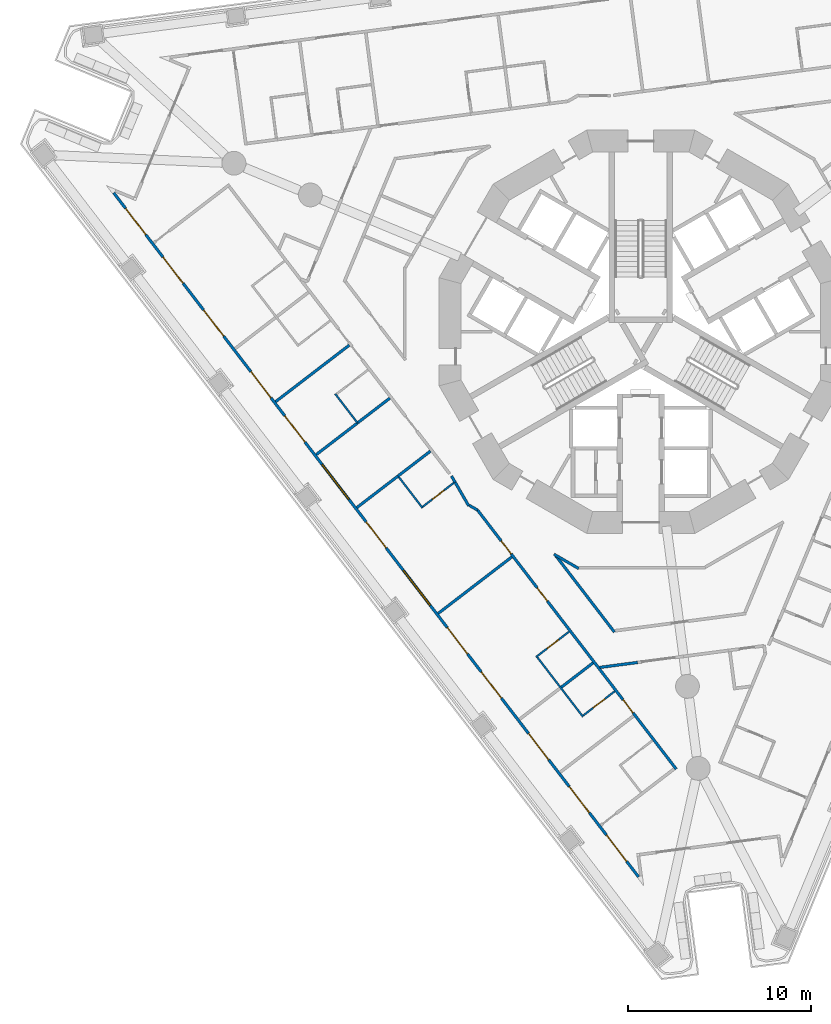
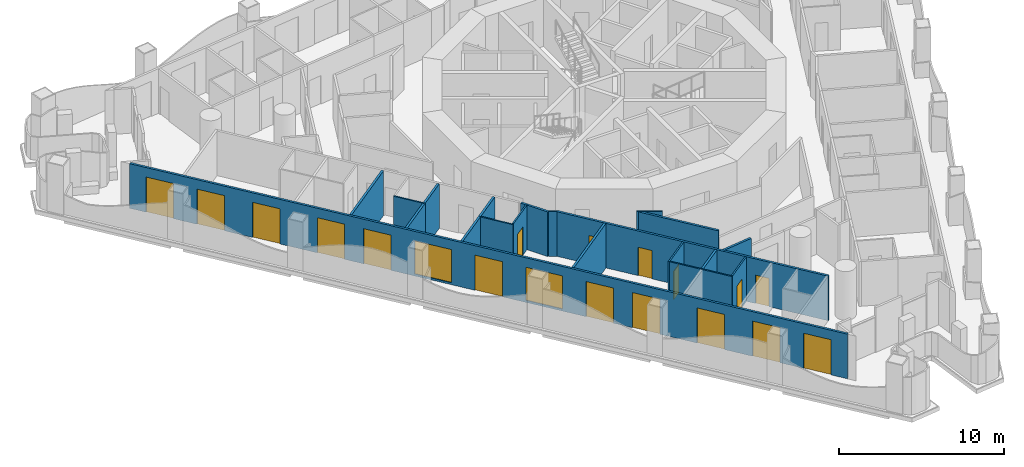
# One storey, part 2 of 19: 21 walls, 17 doors, 2 windows, 19 openings.
"""IFC4 building model written with IfcOpenShell, lengths in metres."""

from ifc_helpers import new_model, si_unit, direction, frame, frame_2d, origin, place, context, subcontext, project, spatial, polyline, rectangle, outline, extrude, material, layer, layer_set, type_object, element, fill, save


model = new_model("IFC4")

# Units and contexts
model_context = context("Model", 3, precision=1e-05, world=origin(), true_north=direction((0.0, 1.0)))
body_context = subcontext(model_context, "Body", "Model", "MODEL_VIEW")
ifc_project = project(units=[si_unit("LENGTHUNIT", "METRE"), si_unit("AREAUNIT", "SQUARE_METRE"), si_unit("VOLUMEUNIT", "CUBIC_METRE"), si_unit("PLANEANGLEUNIT", "RADIAN"), si_unit("MASSUNIT", "GRAM", prefix="KILO")], contexts=[model_context])

# Site, building, storey
site_placement = place(None, origin())
site = spatial("IfcSite", under=ifc_project, at=site_placement, CompositionType="ELEMENT")
building_placement = place(site_placement, origin())
building = spatial("IfcBuilding", under=site, at=building_placement, Name="Trine Commons Tower", CompositionType="ELEMENT")
storey_placement = place(building_placement, frame((0.0, 0.0, 64.800048828125)))
storey = spatial("IfcBuildingStorey", under=building, at=storey_placement, Name="L15", CompositionType="ELEMENT", Elevation=64.800048828125)

# Wall, openings, windows, doors
ifc_material_1 = material(Name="Aluminium-framed insulated wall panel", Category="aluminium")
ifc_layer_1 = layer(ifc_material_1, 0.14990234375)
ifc_layer_set_1 = layer_set([ifc_layer_1], Name="Aluminium-framed insulated wall panel")
wall_type_1 = type_object("IfcWallType", Name="Glazed frame wall 150, EI 60", PredefinedType="SOLIDWALL", material=ifc_layer_set_1)
wall_1_placement = place(storey_placement, frame((79.968994140625, 32.624267578125, 0.0), z_axis=(0.0, 0.0, 1.0), x_axis=(-0.608761526367, 0.793353265585, 0.0)))
wall_1 = element("IfcWall", 1, at=wall_1_placement, inside=storey, type_object=wall_type_1, Name="Glazed frame wall F3", PredefinedType="SOLIDWALL", context=body_context, shape_type="SweptSolid", body=[
    extrude(outline(polyline([(0.1494140625, 0.074951171875), (0.1494140625, -0.074951171875), (47.216796875, -0.074951171875), (47.216796875, 0.074951171875), (0.1494140625, 0.074951171875)])), origin(), (0.0, 0.0, 1.0), 3.300048828125),
])
opening_1_placement = place(wall_1_placement, frame((1.2216796875, 0.0, 0.0)))
opening_1 = element("IfcOpeningElement", 2, at=opening_1_placement, cuts=wall_1, Name="Opening BD-2F3-01", PredefinedType="OPENING", context=body_context, shape_type="SweptSolid", body=[
    extrude(rectangle(XDim=1.800048828125, YDim=2.60009765625, at=frame_2d((0.89990234375, 1.300048828125))), frame((0.0, 0.0849609375, 0.0), z_axis=(0.0, -1.0, 0.0), x_axis=(1.0, 0.0, 0.0)), (0.0, 0.0, 1.0), 0.169921875),
])
opening_2_placement = place(wall_1_placement, frame((4.5654296875, 0.0, 0.0)))
opening_2 = element("IfcOpeningElement", 3, at=opening_2_placement, cuts=wall_1, Name="Opening BD-2F3-02", PredefinedType="OPENING", context=body_context, shape_type="SweptSolid", body=[
    extrude(rectangle(XDim=1.800048828125, YDim=2.60009765625, at=frame_2d((0.89990234375, 1.300048828125))), frame((0.0, 0.0849609375, 0.0), z_axis=(0.0, -1.0, 0.0), x_axis=(1.0, 0.0, 0.0)), (0.0, 0.0, 1.0), 0.169921875),
])
opening_3_placement = place(wall_1_placement, frame((8.208984375, 0.0, 0.0)))
opening_3 = element("IfcOpeningElement", 4, at=opening_3_placement, cuts=wall_1, Name="Opening BD-2F3-03", PredefinedType="OPENING", context=body_context, shape_type="SweptSolid", body=[
    extrude(rectangle(XDim=1.800048828125, YDim=2.60009765625, at=frame_2d((0.89990234375, 1.300048828125))), frame((0.0, 0.0849609375, 0.0), z_axis=(0.0, -1.0, 0.0), x_axis=(1.0, 0.0, 0.0)), (0.0, 0.0, 1.0), 0.169921875),
])
opening_4_placement = place(wall_1_placement, frame((12.45263671875, 0.0, 0.0)))
opening_4 = element("IfcOpeningElement", 5, at=opening_4_placement, cuts=wall_1, Name="Opening BD-2F3-04", PredefinedType="OPENING", context=body_context, shape_type="SweptSolid", body=[
    extrude(rectangle(XDim=1.800048828125, YDim=2.60009765625, at=frame_2d((0.89990234375, 1.300048828125))), frame((0.0, 0.0849609375, 0.0), z_axis=(0.0, -1.0, 0.0), x_axis=(1.0, 0.0, 0.0)), (0.0, 0.0, 1.0), 0.169921875),
])
opening_5_placement = place(wall_1_placement, frame((15.49609375, 0.0, 0.0)))
opening_5 = element("IfcOpeningElement", 6, at=opening_5_placement, cuts=wall_1, Name="Opening BD-2F3-05", PredefinedType="OPENING", context=body_context, shape_type="SweptSolid", body=[
    extrude(rectangle(XDim=1.800048828125, YDim=2.60009765625, at=frame_2d((0.89990234375, 1.300048828125))), frame((0.0, 0.0849609375, 0.0), z_axis=(0.0, -1.0, 0.0), x_axis=(1.0, 0.0, 0.0)), (0.0, 0.0, 1.0), 0.169921875),
])
opening_6_placement = place(wall_1_placement, frame((18.83984375, 0.0, 0.14990234375)))
opening_6 = element("IfcOpeningElement", 7, at=opening_6_placement, cuts=wall_1, Name="Opening W-2F3-06", PredefinedType="OPENING", context=body_context, shape_type="SweptSolid", body=[
    extrude(rectangle(XDim=2.39990234375, YDim=2.449951171875, at=frame_2d((1.199951171875, 1.22509765625))), frame((0.0, 0.0849609375, 0.0), z_axis=(0.0, -1.0, 0.0), x_axis=(1.0, 0.0, 0.0)), (0.0, 0.0, 1.0), 0.169921875),
])
opening_7_placement = place(wall_1_placement, frame((22.783447265625, 0.0, 0.0)))
opening_7 = element("IfcOpeningElement", 8, at=opening_7_placement, cuts=wall_1, Name="Opening BD-2F3-07", PredefinedType="OPENING", context=body_context, shape_type="SweptSolid", body=[
    extrude(rectangle(XDim=1.800048828125, YDim=2.60009765625, at=frame_2d((0.89990234375, 1.300048828125))), frame((0.0, 0.0849609375, 0.0), z_axis=(0.0, -1.0, 0.0), x_axis=(1.0, 0.0, 0.0)), (0.0, 0.0, 1.0), 0.169921875),
])
opening_8_placement = place(wall_1_placement, frame((26.126953125, 0.0, 0.14990234375)))
opening_8 = element("IfcOpeningElement", 9, at=opening_8_placement, cuts=wall_1, Name="Opening W-2F3-08", PredefinedType="OPENING", context=body_context, shape_type="SweptSolid", body=[
    extrude(rectangle(XDim=2.39990234375, YDim=2.449951171875, at=frame_2d((1.199951171875, 1.22509765625))), frame((0.0, 0.0849609375, 0.0), z_axis=(0.0, -1.0, 0.0), x_axis=(1.0, 0.0, 0.0)), (0.0, 0.0, 1.0), 0.169921875),
])
opening_9_placement = place(wall_1_placement, frame((30.070556640625, 0.0, 0.0)))
opening_9 = element("IfcOpeningElement", 10, at=opening_9_placement, cuts=wall_1, Name="Opening BD-2F3-09", PredefinedType="OPENING", context=body_context, shape_type="SweptSolid", body=[
    extrude(rectangle(XDim=1.800048828125, YDim=2.60009765625, at=frame_2d((0.89990234375, 1.300048828125))), frame((0.0, 0.0849609375, 0.0), z_axis=(0.0, -1.0, 0.0), x_axis=(1.0, 0.0, 0.0)), (0.0, 0.0, 1.0), 0.169921875),
])
opening_10_placement = place(wall_1_placement, frame((33.1142578125, 0.0, 0.0)))
opening_10 = element("IfcOpeningElement", 11, at=opening_10_placement, cuts=wall_1, Name="Opening BD-2F3-10", PredefinedType="OPENING", context=body_context, shape_type="SweptSolid", body=[
    extrude(rectangle(XDim=1.800048828125, YDim=2.60009765625, at=frame_2d((0.89990234375, 1.300048828125))), frame((0.0, 0.0849609375, 0.0), z_axis=(0.0, -1.0, 0.0), x_axis=(1.0, 0.0, 0.0)), (0.0, 0.0, 1.0), 0.169921875),
])
opening_11_placement = place(wall_1_placement, frame((37.35791015625, 0.0, 0.0)))
opening_11 = element("IfcOpeningElement", 12, at=opening_11_placement, cuts=wall_1, Name="Opening BD-2F3-11", PredefinedType="OPENING", context=body_context, shape_type="SweptSolid", body=[
    extrude(rectangle(XDim=1.800048828125, YDim=2.60009765625, at=frame_2d((0.89990234375, 1.300048828125))), frame((0.0, 0.0849609375, 0.0), z_axis=(0.0, -1.0, 0.0), x_axis=(1.0, 0.0, 0.0)), (0.0, 0.0, 1.0), 0.169921875),
])
opening_12_placement = place(wall_1_placement, frame((41.00146484375, 0.0, 0.0)))
opening_12 = element("IfcOpeningElement", 13, at=opening_12_placement, cuts=wall_1, Name="Opening BD-2F3-12", PredefinedType="OPENING", context=body_context, shape_type="SweptSolid", body=[
    extrude(rectangle(XDim=1.800048828125, YDim=2.60009765625, at=frame_2d((0.89990234375, 1.300048828125))), frame((0.0, 0.0849609375, 0.0), z_axis=(0.0, -1.0, 0.0), x_axis=(1.0, 0.0, 0.0)), (0.0, 0.0, 1.0), 0.169921875),
])
opening_13_placement = place(wall_1_placement, frame((44.344970703125, 0.0, 0.0)))
opening_13 = element("IfcOpeningElement", 14, at=opening_13_placement, cuts=wall_1, Name="Opening BD-2F3-13", PredefinedType="OPENING", context=body_context, shape_type="SweptSolid", body=[
    extrude(rectangle(XDim=1.800048828125, YDim=2.60009765625, at=frame_2d((0.89990234375, 1.300048828125))), frame((0.0, 0.0849609375, 0.0), z_axis=(0.0, -1.0, 0.0), x_axis=(1.0, 0.0, 0.0)), (0.0, 0.0, 1.0), 0.169921875),
])
ifc_material_2 = material(Name="Anodised aluminium frame with double glazing", Category="aluminium")
window_type = type_object("IfcWindowType", Name="Fixed window 2400x2450", PartitioningType="SINGLE_PANEL", PredefinedType="WINDOW", material=ifc_material_2)
window_1_placement = place(opening_6_placement, origin())
window_1 = element("IfcWindow", 15, at=window_1_placement, inside=storey, type_object=window_type, Name="Window F3 6", OverallHeight=2.449951171875, OverallWidth=2.39990234375, PartitioningType="SINGLE_PANEL", PredefinedType="WINDOW", context=body_context, shape_type="SweptSolid", body=[
    extrude(rectangle(XDim=2.39990234375, YDim=2.449951171875, at=frame_2d((1.199951171875, 1.22509765625))), frame((0.0, 0.030029296875, 0.0), z_axis=(0.0, -1.0, 0.0), x_axis=(1.0, 0.0, 0.0)), (0.0, 0.0, 1.0), 0.06005859375),
])
fill(opening_6, window_1)
window_2_placement = place(opening_8_placement, origin())
window_2 = element("IfcWindow", 16, at=window_2_placement, inside=storey, type_object=window_type, Name="Window F3 8", OverallHeight=2.449951171875, OverallWidth=2.39990234375, PartitioningType="SINGLE_PANEL", PredefinedType="WINDOW", context=body_context, shape_type="SweptSolid", body=[
    extrude(rectangle(XDim=2.39990234375, YDim=2.449951171875, at=frame_2d((1.199951171875, 1.22509765625))), frame((0.0, 0.030029296875, 0.0), z_axis=(0.0, -1.0, 0.0), x_axis=(1.0, 0.0, 0.0)), (0.0, 0.0, 1.0), 0.06005859375),
])
fill(opening_8, window_2)
door_type_1 = type_object("IfcDoorType", Name="Sliding loggia door 1800x2600", OperationType="SLIDING_TO_LEFT", PredefinedType="DOOR", material=ifc_material_2)
door_1_placement = place(opening_1_placement, origin())
door_1 = element("IfcDoor", 17, at=door_1_placement, inside=storey, type_object=door_type_1, Name="Loggia door F3 1", OperationType="SLIDING_TO_LEFT", OverallHeight=2.60009765625, OverallWidth=1.800048828125, PredefinedType="DOOR", context=body_context, shape_type="SweptSolid", body=[
    extrude(rectangle(XDim=1.800048828125, YDim=2.60009765625, at=frame_2d((0.89990234375, 1.300048828125))), frame((0.0, 0.02490234375, 0.0), z_axis=(0.0, -1.0, 0.0), x_axis=(1.0, 0.0, 0.0)), (0.0, 0.0, 1.0), 0.050048828125),
])
fill(opening_1, door_1)
door_2_placement = place(opening_2_placement, origin())
door_2 = element("IfcDoor", 18, at=door_2_placement, inside=storey, type_object=door_type_1, Name="Loggia door F3 2", OperationType="SLIDING_TO_LEFT", OverallHeight=2.60009765625, OverallWidth=1.800048828125, PredefinedType="DOOR", context=body_context, shape_type="SweptSolid", body=[
    extrude(rectangle(XDim=1.800048828125, YDim=2.60009765625, at=frame_2d((0.89990234375, 1.300048828125))), frame((0.0, 0.02490234375, 0.0), z_axis=(0.0, -1.0, 0.0), x_axis=(1.0, 0.0, 0.0)), (0.0, 0.0, 1.0), 0.050048828125),
])
fill(opening_2, door_2)
door_3_placement = place(opening_3_placement, origin())
door_3 = element("IfcDoor", 19, at=door_3_placement, inside=storey, type_object=door_type_1, Name="Loggia door F3 3", OperationType="SLIDING_TO_LEFT", OverallHeight=2.60009765625, OverallWidth=1.800048828125, PredefinedType="DOOR", context=body_context, shape_type="SweptSolid", body=[
    extrude(rectangle(XDim=1.800048828125, YDim=2.60009765625, at=frame_2d((0.89990234375, 1.300048828125))), frame((0.0, 0.02490234375, 0.0), z_axis=(0.0, -1.0, 0.0), x_axis=(1.0, 0.0, 0.0)), (0.0, 0.0, 1.0), 0.050048828125),
])
fill(opening_3, door_3)
door_4_placement = place(opening_4_placement, origin())
door_4 = element("IfcDoor", 20, at=door_4_placement, inside=storey, type_object=door_type_1, Name="Loggia door F3 4", OperationType="SLIDING_TO_LEFT", OverallHeight=2.60009765625, OverallWidth=1.800048828125, PredefinedType="DOOR", context=body_context, shape_type="SweptSolid", body=[
    extrude(rectangle(XDim=1.800048828125, YDim=2.60009765625, at=frame_2d((0.89990234375, 1.300048828125))), frame((0.0, 0.02490234375, 0.0), z_axis=(0.0, -1.0, 0.0), x_axis=(1.0, 0.0, 0.0)), (0.0, 0.0, 1.0), 0.050048828125),
])
fill(opening_4, door_4)
door_5_placement = place(opening_5_placement, origin())
door_5 = element("IfcDoor", 21, at=door_5_placement, inside=storey, type_object=door_type_1, Name="Loggia door F3 5", OperationType="SLIDING_TO_LEFT", OverallHeight=2.60009765625, OverallWidth=1.800048828125, PredefinedType="DOOR", context=body_context, shape_type="SweptSolid", body=[
    extrude(rectangle(XDim=1.800048828125, YDim=2.60009765625, at=frame_2d((0.89990234375, 1.300048828125))), frame((0.0, 0.02490234375, 0.0), z_axis=(0.0, -1.0, 0.0), x_axis=(1.0, 0.0, 0.0)), (0.0, 0.0, 1.0), 0.050048828125),
])
fill(opening_5, door_5)
door_6_placement = place(opening_7_placement, origin())
door_6 = element("IfcDoor", 22, at=door_6_placement, inside=storey, type_object=door_type_1, Name="Loggia door F3 7", OperationType="SLIDING_TO_LEFT", OverallHeight=2.60009765625, OverallWidth=1.800048828125, PredefinedType="DOOR", context=body_context, shape_type="SweptSolid", body=[
    extrude(rectangle(XDim=1.800048828125, YDim=2.60009765625, at=frame_2d((0.89990234375, 1.300048828125))), frame((0.0, 0.02490234375, 0.0), z_axis=(0.0, -1.0, 0.0), x_axis=(1.0, 0.0, 0.0)), (0.0, 0.0, 1.0), 0.050048828125),
])
fill(opening_7, door_6)
door_7_placement = place(opening_9_placement, origin())
door_7 = element("IfcDoor", 23, at=door_7_placement, inside=storey, type_object=door_type_1, Name="Loggia door F3 9", OperationType="SLIDING_TO_LEFT", OverallHeight=2.60009765625, OverallWidth=1.800048828125, PredefinedType="DOOR", context=body_context, shape_type="SweptSolid", body=[
    extrude(rectangle(XDim=1.800048828125, YDim=2.60009765625, at=frame_2d((0.89990234375, 1.300048828125))), frame((0.0, 0.02490234375, 0.0), z_axis=(0.0, -1.0, 0.0), x_axis=(1.0, 0.0, 0.0)), (0.0, 0.0, 1.0), 0.050048828125),
])
fill(opening_9, door_7)
door_8_placement = place(opening_10_placement, origin())
door_8 = element("IfcDoor", 24, at=door_8_placement, inside=storey, type_object=door_type_1, Name="Loggia door F3 10", OperationType="SLIDING_TO_LEFT", OverallHeight=2.60009765625, OverallWidth=1.800048828125, PredefinedType="DOOR", context=body_context, shape_type="SweptSolid", body=[
    extrude(rectangle(XDim=1.800048828125, YDim=2.60009765625, at=frame_2d((0.89990234375, 1.300048828125))), frame((0.0, 0.02490234375, 0.0), z_axis=(0.0, -1.0, 0.0), x_axis=(1.0, 0.0, 0.0)), (0.0, 0.0, 1.0), 0.050048828125),
])
fill(opening_10, door_8)
door_9_placement = place(opening_11_placement, origin())
door_9 = element("IfcDoor", 25, at=door_9_placement, inside=storey, type_object=door_type_1, Name="Loggia door F3 11", OperationType="SLIDING_TO_LEFT", OverallHeight=2.60009765625, OverallWidth=1.800048828125, PredefinedType="DOOR", context=body_context, shape_type="SweptSolid", body=[
    extrude(rectangle(XDim=1.800048828125, YDim=2.60009765625, at=frame_2d((0.89990234375, 1.300048828125))), frame((0.0, 0.02490234375, 0.0), z_axis=(0.0, -1.0, 0.0), x_axis=(1.0, 0.0, 0.0)), (0.0, 0.0, 1.0), 0.050048828125),
])
fill(opening_11, door_9)
door_10_placement = place(opening_12_placement, origin())
door_10 = element("IfcDoor", 26, at=door_10_placement, inside=storey, type_object=door_type_1, Name="Loggia door F3 12", OperationType="SLIDING_TO_LEFT", OverallHeight=2.60009765625, OverallWidth=1.800048828125, PredefinedType="DOOR", context=body_context, shape_type="SweptSolid", body=[
    extrude(rectangle(XDim=1.800048828125, YDim=2.60009765625, at=frame_2d((0.89990234375, 1.300048828125))), frame((0.0, 0.02490234375, 0.0), z_axis=(0.0, -1.0, 0.0), x_axis=(1.0, 0.0, 0.0)), (0.0, 0.0, 1.0), 0.050048828125),
])
fill(opening_12, door_10)
door_11_placement = place(opening_13_placement, origin())
door_11 = element("IfcDoor", 27, at=door_11_placement, inside=storey, type_object=door_type_1, Name="Loggia door F3 13", OperationType="SLIDING_TO_LEFT", OverallHeight=2.60009765625, OverallWidth=1.800048828125, PredefinedType="DOOR", context=body_context, shape_type="SweptSolid", body=[
    extrude(rectangle(XDim=1.800048828125, YDim=2.60009765625, at=frame_2d((0.89990234375, 1.300048828125))), frame((0.0, 0.02490234375, 0.0), z_axis=(0.0, -1.0, 0.0), x_axis=(1.0, 0.0, 0.0)), (0.0, 0.0, 1.0), 0.050048828125),
])
fill(opening_13, door_11)

# Walls
ifc_material_3 = material(Name="Gypsum plasterboard on steel stud", Category="steel")
ifc_layer_2 = layer(ifc_material_3, 0.14990234375)
ifc_layer_set_2 = layer_set([ifc_layer_2], Name="Gypsum plasterboard on steel stud")
wall_type_2 = type_object("IfcWallType", Name="Unit and corridor wall 150 mm, EI 60", PredefinedType="PARTITIONING", material=ifc_layer_set_2)
wall_2_placement = place(storey_placement, frame((60.065673828125, 58.686279296875, 0.0), z_axis=(0.0, 0.0, 1.0), x_axis=(0.793444149255, 0.608643066184, 0.0)))
element("IfcWall", 28, at=wall_2_placement, inside=storey, type_object=wall_type_2, Name="Partition 010", PredefinedType="PARTITIONING", context=body_context, shape_type="SweptSolid", body=[
    extrude(rectangle(XDim=5.063720703125, YDim=0.14990234375, at=frame_2d((2.53173828125, 0.0))), origin(), (0.0, 0.0, 1.0), 3.300048828125),
])
wall_3_placement = place(storey_placement, frame((62.28369140625, 55.79541015625, 0.0), z_axis=(0.0, 0.0, 1.0), x_axis=(0.793376845769, 0.608730794849, 0.0)))
element("IfcWall", 29, at=wall_3_placement, inside=storey, type_object=wall_type_2, Name="Partition 021", PredefinedType="PARTITIONING", context=body_context, shape_type="SweptSolid", body=[
    extrude(rectangle(XDim=2.8427734375, YDim=0.14990234375, at=frame_2d((1.42138671875, 0.0))), origin(), (0.0, 0.0, 1.0), 3.300048828125),
])
wall_4_placement = place(storey_placement, frame((64.501708984375, 52.904296875, 0.0), z_axis=(0.0, 0.0, 1.0), x_axis=(0.793399431095, 0.608701357595, 0.0)))
element("IfcWall", 30, at=wall_4_placement, inside=storey, type_object=wall_type_2, Name="Partition 031", PredefinedType="PARTITIONING", context=body_context, shape_type="SweptSolid", body=[
    extrude(rectangle(XDim=2.830078125, YDim=0.14990234375, at=frame_2d((1.4150390625, 0.0))), origin(), (0.0, 0.0, 1.0), 3.300048828125),
])
wall_5_placement = place(storey_placement, frame((64.532958984375, 57.52197265625, 0.0), z_axis=(0.0, 0.0, 1.0), x_axis=(0.793486460679, 0.608587903856, 0.0)))
element("IfcWall", 31, at=wall_5_placement, inside=storey, type_object=wall_type_2, Name="Partition 032", PredefinedType="PARTITIONING", context=body_context, shape_type="SweptSolid", body=[
    extrude(rectangle(XDim=2.228759765625, YDim=0.14990234375, at=frame_2d((1.1142578125, 0.0))), origin(), (0.0, 0.0, 1.0), 3.300048828125),
])
wall_6_placement = place(storey_placement, frame((66.7470703125, 54.626953125, 0.0), z_axis=(0.0, 0.0, 1.0), x_axis=(0.793289688579, 0.608844372557, 0.0)))
element("IfcWall", 32, at=wall_6_placement, inside=storey, type_object=wall_type_2, Name="Partition 041", PredefinedType="PARTITIONING", context=body_context, shape_type="SweptSolid", body=[
    extrude(rectangle(XDim=2.234375, YDim=0.14990234375, at=frame_2d((1.1171875, 0.0))), origin(), (0.0, 0.0, 1.0), 3.300048828125),
])
wall_7_placement = place(storey_placement, frame((68.937744140625, 47.123291015625, 0.0), z_axis=(0.0, 0.0, 1.0), x_axis=(0.793351017656, 0.608764455913, 0.0)))
element("IfcWall", 33, at=wall_7_placement, inside=storey, type_object=wall_type_2, Name="Partition 047", PredefinedType="PARTITIONING", context=body_context, shape_type="SweptSolid", body=[
    extrude(rectangle(XDim=5.064453125, YDim=0.14990234375, at=frame_2d((2.5322265625, 0.0))), origin(), (0.0, 0.0, 1.0), 3.300048828125),
])
wall_8_placement = place(storey_placement, frame((69.664794921875, 54.6279296875, 0.0), z_axis=(0.0, 0.0, 1.0), x_axis=(0.497978014269, -0.86718965475, 0.0)))
element("IfcWall", 34, at=wall_8_placement, inside=storey, type_object=wall_type_2, Name="Partition 048", PredefinedType="PARTITIONING", context=body_context, shape_type="SweptSolid", body=[
    extrude(rectangle(XDim=0.400146484375, YDim=0.14990234375, at=frame_2d((0.2001953125, 0.0))), origin(), (0.0, 0.0, 1.0), 3.300048828125),
])
wall_9_placement = place(storey_placement, frame((69.826904296875, 54.347412109375, 0.0), z_axis=(0.0, 0.0, 1.0), x_axis=(0.499636333304, -0.866235265065, 0.0)))
element("IfcWall", 35, at=wall_9_placement, inside=storey, type_object=wall_type_2, Name="Partition 049", PredefinedType="PARTITIONING", context=body_context, shape_type="SweptSolid", body=[
    extrude(rectangle(XDim=1.554443359375, YDim=0.14990234375, at=frame_2d((0.77734375, 0.0))), origin(), (0.0, 0.0, 1.0), 3.300048828125),
])
wall_10_placement = place(storey_placement, frame((70.631103515625, 53.028564453125, 0.0), z_axis=(0.0, 0.0, 1.0), x_axis=(0.866215944259, -0.499669828899, 0.0)))
element("IfcWall", 36, at=wall_10_placement, inside=storey, type_object=wall_type_2, Name="Partition 052", PredefinedType="PARTITIONING", context=body_context, shape_type="SweptSolid", body=[
    extrude(rectangle(XDim=0.535400390625, YDim=0.14990234375, at=frame_2d((0.267578125, 0.0))), origin(), (0.0, 0.0, 1.0), 3.300048828125),
])

# Wall, openings, doors
wall_11_placement = place(storey_placement, frame((71.087890625, 52.76611328125, 0.0), z_axis=(0.0, 0.0, 1.0), x_axis=(0.608663951432, -0.793428127953, 0.0)))
wall_11 = element("IfcWall", 37, at=wall_11_placement, inside=storey, type_object=wall_type_2, Name="Partition 055", PredefinedType="PARTITIONING", context=body_context, shape_type="SweptSolid", body=[
    extrude(rectangle(XDim=17.8173828125, YDim=0.14990234375, at=frame_2d((8.90869140625, 0.0))), origin(), (0.0, 0.0, 1.0), 3.300048828125),
])
opening_14_placement = place(wall_11_placement, frame((13.048095703125, 0.0, 0.0)))
opening_14 = element("IfcOpeningElement", 38, at=opening_14_placement, cuts=wall_11, Name="Opening D-2B24", PredefinedType="OPENING", context=body_context, shape_type="SweptSolid", body=[
    extrude(rectangle(XDim=0.89990234375, YDim=2.10009765625, at=frame_2d((0.449951171875, 1.050048828125))), frame((0.0, 0.0849609375, 0.0), z_axis=(0.0, -1.0, 0.0), x_axis=(1.0, 0.0, 0.0)), (0.0, 0.0, 1.0), 0.169921875),
])
opening_15_placement = place(wall_11_placement, frame((5.3544921875, 0.0, 0.0)))
opening_15 = element("IfcOpeningElement", 39, at=opening_15_placement, cuts=wall_11, Name="Opening D-2B25", PredefinedType="OPENING", context=body_context, shape_type="SweptSolid", body=[
    extrude(rectangle(XDim=0.89990234375, YDim=2.10009765625, at=frame_2d((0.449951171875, 1.050048828125))), frame((0.0, 0.0849609375, 0.0), z_axis=(0.0, -1.0, 0.0), x_axis=(1.0, 0.0, 0.0)), (0.0, 0.0, 1.0), 0.169921875),
])
opening_16_placement = place(wall_11_placement, frame((2.11767578125, 0.0, 0.0)))
opening_16 = element("IfcOpeningElement", 40, at=opening_16_placement, cuts=wall_11, Name="Opening D-2B26", PredefinedType="OPENING", context=body_context, shape_type="SweptSolid", body=[
    extrude(rectangle(XDim=0.89990234375, YDim=2.10009765625, at=frame_2d((0.449951171875, 1.050048828125))), frame((0.0, 0.0849609375, 0.0), z_axis=(0.0, -1.0, 0.0), x_axis=(1.0, 0.0, 0.0)), (0.0, 0.0, 1.0), 0.169921875),
])
ifc_material_4 = material(Name="Timber fire door set", Category="wood")
door_type_2 = type_object("IfcDoorType", Name="Bedroom door 900 x 2100, FD30S", OperationType="NOTDEFINED", PredefinedType="DOOR", material=ifc_material_4)
door_12_placement = place(opening_14_placement, frame((0.89990234375, 0.0, 0.0), z_axis=(0.0, 0.0, 1.0), x_axis=(-1.0, 0.0, 0.0)))
door_12 = element("IfcDoor", 41, at=door_12_placement, inside=storey, type_object=door_type_2, Name="Door D-2B24", OperationType="SINGLE_SWING_LEFT", OverallHeight=2.10009765625, OverallWidth=0.89990234375, PredefinedType="DOOR", context=body_context, shape_type="SweptSolid", body=[
    extrude(rectangle(XDim=0.89990234375, YDim=2.10009765625, at=frame_2d((0.449951171875, 1.050048828125))), frame((0.0, 0.02490234375, 0.0), z_axis=(0.0, -1.0, 0.0), x_axis=(1.0, 0.0, 0.0)), (0.0, 0.0, 1.0), 0.050048828125),
])
fill(opening_14, door_12)
door_13_placement = place(opening_15_placement, frame((0.89990234375, 0.0, 0.0), z_axis=(0.0, 0.0, 1.0), x_axis=(-1.0, 0.0, 0.0)))
door_13 = element("IfcDoor", 42, at=door_13_placement, inside=storey, type_object=door_type_2, Name="Door D-2B25", OperationType="SINGLE_SWING_RIGHT", OverallHeight=2.10009765625, OverallWidth=0.89990234375, PredefinedType="DOOR", context=body_context, shape_type="SweptSolid", body=[
    extrude(rectangle(XDim=0.89990234375, YDim=2.10009765625, at=frame_2d((0.449951171875, 1.050048828125))), frame((0.0, 0.02490234375, 0.0), z_axis=(0.0, -1.0, 0.0), x_axis=(1.0, 0.0, 0.0)), (0.0, 0.0, 1.0), 0.050048828125),
])
fill(opening_15, door_13)
door_14_placement = place(opening_16_placement, frame((0.89990234375, 0.0, 0.0), z_axis=(0.0, 0.0, 1.0), x_axis=(-1.0, 0.0, 0.0)))
door_14 = element("IfcDoor", 43, at=door_14_placement, inside=storey, type_object=door_type_2, Name="Door D-2B26", OperationType="SINGLE_SWING_RIGHT", OverallHeight=2.10009765625, OverallWidth=0.89990234375, PredefinedType="DOOR", context=body_context, shape_type="SweptSolid", body=[
    extrude(rectangle(XDim=0.89990234375, YDim=2.10009765625, at=frame_2d((0.449951171875, 1.050048828125))), frame((0.0, 0.02490234375, 0.0), z_axis=(0.0, -1.0, 0.0), x_axis=(1.0, 0.0, 0.0)), (0.0, 0.0, 1.0), 0.050048828125),
])
fill(opening_16, door_14)

# Walls
wall_12_placement = place(storey_placement, frame((75.260986328125, 50.35546875, 0.0), z_axis=(0.0, 0.0, 1.0), x_axis=(0.866029224906, -0.499993381564, 0.0)))
element("IfcWall", 44, at=wall_12_placement, inside=storey, type_object=wall_type_2, Name="Partition 065", PredefinedType="PARTITIONING", context=body_context, shape_type="SweptSolid", body=[
    extrude(rectangle(XDim=1.56005859375, YDim=0.14990234375, at=frame_2d((0.780029296875, 0.0))), origin(), (0.0, 0.0, 1.0), 3.300048828125),
])
wall_13_placement = place(storey_placement, frame((75.373779296875, 50.257568359375, 0.0), z_axis=(0.0, 0.0, 1.0), x_axis=(0.608769592338, -0.793347076282, 0.0)))
element("IfcWall", 45, at=wall_13_placement, inside=storey, type_object=wall_type_2, Name="Partition 066", PredefinedType="PARTITIONING", context=body_context, shape_type="SweptSolid", body=[
    extrude(rectangle(XDim=5.22998046875, YDim=0.14990234375, at=frame_2d((2.614990234375, 0.0))), origin(), (0.0, 0.0, 1.0), 3.300048828125),
])
wall_14_placement = place(storey_placement, frame((75.666748046875, 43.100341796875, 0.0), z_axis=(0.0, 0.0, 1.0), x_axis=(0.793253832781, 0.608891087781, 0.0)))
element("IfcWall", 46, at=wall_14_placement, inside=storey, type_object=wall_type_2, Name="Partition 068", PredefinedType="PARTITIONING", context=body_context, shape_type="SweptSolid", body=[
    extrude(rectangle(XDim=2.17431640625, YDim=0.14990234375, at=frame_2d((1.087158203125, 0.0))), origin(), (0.0, 0.0, 1.0), 3.300048828125),
])
wall_15_placement = place(storey_placement, frame((77.75732421875, 44.177734375, 0.0), z_axis=(0.0, 0.0, 1.0), x_axis=(0.99142565409, 0.130672003172, 0.0)))
element("IfcWall", 47, at=wall_15_placement, inside=storey, type_object=wall_type_2, Name="Partition 073", PredefinedType="PARTITIONING", context=body_context, shape_type="SweptSolid", body=[
    extrude(rectangle(XDim=2.090576171875, YDim=0.14990234375, at=frame_2d((1.04541015625, 0.0))), origin(), (0.0, 0.0, 1.0), 3.300048828125),
])
ifc_layer_3 = layer(ifc_material_3, 0.10009765625)
ifc_layer_set_3 = layer_set([ifc_layer_3], Name="Gypsum plasterboard on steel stud")
wall_type_3 = type_object("IfcWallType", Name="Unit partition 100 mm, no rating", PredefinedType="PARTITIONING", material=ifc_layer_set_3)
wall_16_placement = place(storey_placement, frame((63.318603515625, 59.110595703125, 0.0), z_axis=(0.0, 0.0, 1.0), x_axis=(0.608695491843, -0.793403931305, 0.0)))
element("IfcWall", 48, at=wall_16_placement, inside=storey, type_object=wall_type_3, Name="Partition 023", PredefinedType="PARTITIONING", context=body_context, shape_type="SweptSolid", body=[
    extrude(rectangle(XDim=1.999755859375, YDim=0.10009765625, at=frame_2d((1.0, 0.0))), origin(), (0.0, 0.0, 1.0), 3.300048828125),
])
wall_17_placement = place(storey_placement, frame((66.792724609375, 54.5673828125, 0.0), z_axis=(0.0, 0.0, 1.0), x_axis=(0.608971833678, -0.793191846773, 0.0)))
element("IfcWall", 49, at=wall_17_placement, inside=storey, type_object=wall_type_3, Name="Partition 040", PredefinedType="PARTITIONING", context=body_context, shape_type="SweptSolid", body=[
    extrude(rectangle(XDim=2.12451171875, YDim=0.10009765625, at=frame_2d((1.062255859375, 0.0))), origin(), (0.0, 0.0, 1.0), 3.300048828125),
])

# Wall, opening, door
wall_18_placement = place(storey_placement, frame((68.095703125, 52.952392578125, 0.0), z_axis=(0.0, 0.0, 1.0), x_axis=(0.793466847066, 0.608613475538, 0.0)))
wall_18 = element("IfcWall", 50, at=wall_18_placement, inside=storey, type_object=wall_type_3, Name="Partition 045", PredefinedType="PARTITIONING", context=body_context, shape_type="SweptSolid", body=[
    extrude(rectangle(XDim=2.140869140625, YDim=0.10009765625, at=frame_2d((1.0703125, 0.0))), origin(), (0.0, 0.0, 1.0), 3.300048828125),
])
opening_17_placement = place(wall_18_placement, frame((0.67041015625, 0.0, 0.0)))
opening_17 = element("IfcOpeningElement", 51, at=opening_17_placement, cuts=wall_18, Name="Opening D-2B54", PredefinedType="OPENING", context=body_context, shape_type="SweptSolid", body=[
    extrude(rectangle(XDim=0.800048828125, YDim=2.10009765625, at=frame_2d((0.39990234375, 1.050048828125))), frame((0.0, 0.06005859375, 0.0), z_axis=(0.0, -1.0, 0.0), x_axis=(1.0, 0.0, 0.0)), (0.0, 0.0, 1.0), 0.1201171875),
])
ifc_material_5 = material(Name="Painted timber", Category="wood")
door_type_3 = type_object("IfcDoorType", Name="Internal door 800 x 2100, NOT RATED", OperationType="NOTDEFINED", PredefinedType="DOOR", material=ifc_material_5)
door_15_placement = place(opening_17_placement, frame((0.800048828125, 0.0, 0.0), z_axis=(0.0, 0.0, 1.0), x_axis=(-1.0, 0.0, 0.0)))
door_15 = element("IfcDoor", 52, at=door_15_placement, inside=storey, type_object=door_type_3, Name="Door D-2B54", OperationType="SINGLE_SWING_LEFT", OverallHeight=2.10009765625, OverallWidth=0.800048828125, PredefinedType="DOOR", context=body_context, shape_type="SweptSolid", body=[
    extrude(rectangle(XDim=0.800048828125, YDim=2.10009765625, at=frame_2d((0.39990234375, 1.050048828125))), frame((0.0, 0.02490234375, 0.0), z_axis=(0.0, -1.0, 0.0), x_axis=(1.0, 0.0, 0.0)), (0.0, 0.0, 1.0), 0.050048828125),
])
fill(opening_17, door_15)

wall_19_placement = place(storey_placement, frame((74.2783203125, 44.74560546875, 0.0), z_axis=(0.0, 0.0, 1.0), x_axis=(0.793277976561, 0.608859632348, 0.0)))
wall_19 = element("IfcWall", 53, at=wall_19_placement, inside=storey, type_object=wall_type_3, Name="Partition 061", PredefinedType="PARTITIONING", context=body_context, shape_type="SweptSolid", body=[
    extrude(rectangle(XDim=2.2744140625, YDim=0.10009765625, at=frame_2d((1.13720703125, 0.0))), origin(), (0.0, 0.0, 1.0), 3.300048828125),
])
opening_18_placement = place(wall_19_placement, frame((0.76220703125, 0.0, 0.0)))
opening_18 = element("IfcOpeningElement", 54, at=opening_18_placement, cuts=wall_19, Name="Opening D-2B53", PredefinedType="OPENING", context=body_context, shape_type="SweptSolid", body=[
    extrude(rectangle(XDim=0.800048828125, YDim=2.10009765625, at=frame_2d((0.39990234375, 1.050048828125))), frame((0.0, 0.06005859375, 0.0), z_axis=(0.0, -1.0, 0.0), x_axis=(1.0, 0.0, 0.0)), (0.0, 0.0, 1.0), 0.1201171875),
])
door_16_placement = place(opening_18_placement, origin())
door_16 = element("IfcDoor", 55, at=door_16_placement, inside=storey, type_object=door_type_3, Name="Door D-2B53", OperationType="SINGLE_SWING_RIGHT", OverallHeight=2.10009765625, OverallWidth=0.800048828125, PredefinedType="DOOR", context=body_context, shape_type="SweptSolid", body=[
    extrude(rectangle(XDim=0.800048828125, YDim=2.10009765625, at=frame_2d((0.39990234375, 1.050048828125))), frame((0.0, 0.02490234375, 0.0), z_axis=(0.0, -1.0, 0.0), x_axis=(1.0, 0.0, 0.0)), (0.0, 0.0, 1.0), 0.050048828125),
])
fill(opening_18, door_16)

# Wall
wall_20_placement = place(storey_placement, frame((74.348388671875, 44.736328125, 0.0), z_axis=(0.0, 0.0, 1.0), x_axis=(0.608766496324, -0.793349451978, 0.0)))
element("IfcWall", 56, at=wall_20_placement, inside=storey, type_object=wall_type_3, Name="Partition 062", PredefinedType="PARTITIONING", context=body_context, shape_type="SweptSolid", body=[
    extrude(rectangle(XDim=4.100341796875, YDim=0.10009765625, at=frame_2d((2.05029296875, 0.0))), origin(), (0.0, 0.0, 1.0), 3.300048828125),
])

# Wall, opening, door
wall_21_placement = place(storey_placement, frame((76.853759765625, 41.553466796875, 0.0), z_axis=(0.0, 0.0, 1.0), x_axis=(0.793308064866, 0.608820428549, 0.0)))
wall_21 = element("IfcWall", 57, at=wall_21_placement, inside=storey, type_object=wall_type_3, Name="Partition 072", PredefinedType="PARTITIONING", context=body_context, shape_type="SweptSolid", body=[
    extrude(rectangle(XDim=2.17431640625, YDim=0.10009765625, at=frame_2d((1.087158203125, 0.0))), origin(), (0.0, 0.0, 1.0), 3.300048828125),
])
opening_19_placement = place(wall_21_placement, frame((0.687255859375, 0.0, 0.0)))
opening_19 = element("IfcOpeningElement", 58, at=opening_19_placement, cuts=wall_21, Name="Opening D-2B52", PredefinedType="OPENING", context=body_context, shape_type="SweptSolid", body=[
    extrude(rectangle(XDim=0.800048828125, YDim=2.10009765625, at=frame_2d((0.39990234375, 1.050048828125))), frame((0.0, 0.06005859375, 0.0), z_axis=(0.0, -1.0, 0.0), x_axis=(1.0, 0.0, 0.0)), (0.0, 0.0, 1.0), 0.1201171875),
])
door_17_placement = place(opening_19_placement, frame((0.800048828125, 0.0, 0.0), z_axis=(0.0, 0.0, 1.0), x_axis=(-1.0, 0.0, 0.0)))
door_17 = element("IfcDoor", 59, at=door_17_placement, inside=storey, type_object=door_type_3, Name="Door D-2B52", OperationType="SINGLE_SWING_LEFT", OverallHeight=2.10009765625, OverallWidth=0.800048828125, PredefinedType="DOOR", context=body_context, shape_type="SweptSolid", body=[
    extrude(rectangle(XDim=0.800048828125, YDim=2.10009765625, at=frame_2d((0.39990234375, 1.050048828125))), frame((0.0, 0.02490234375, 0.0), z_axis=(0.0, -1.0, 0.0), x_axis=(1.0, 0.0, 0.0)), (0.0, 0.0, 1.0), 0.050048828125),
])
fill(opening_19, door_17)

save(model, "model.ifc")
